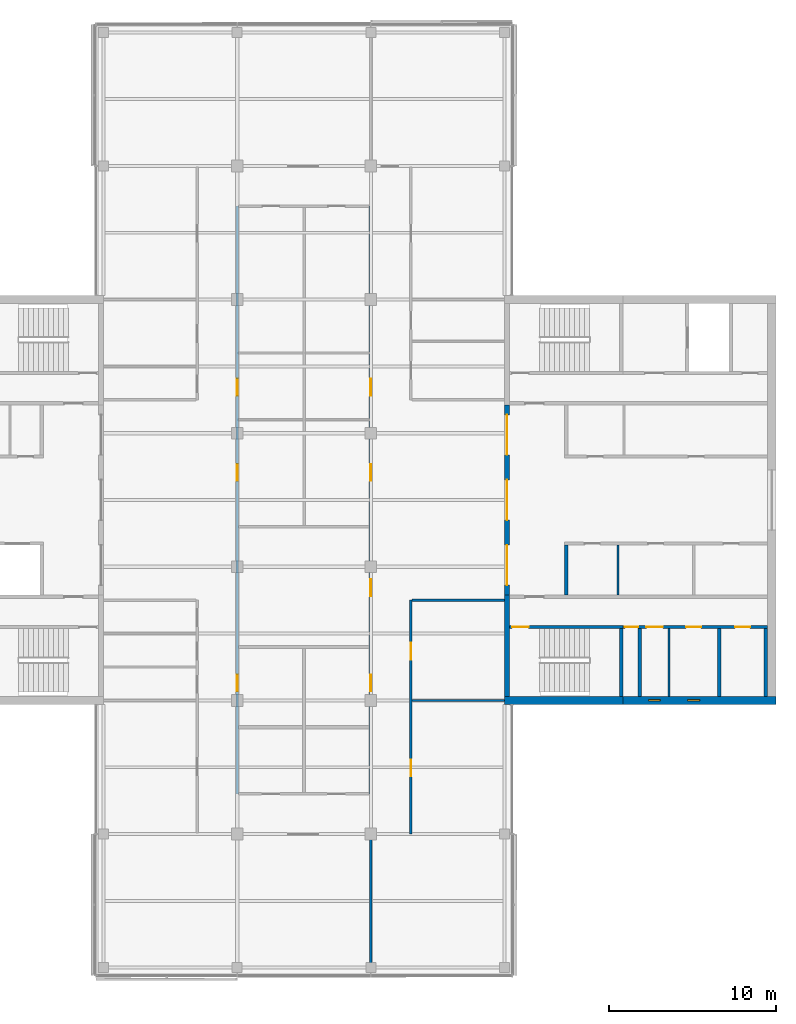
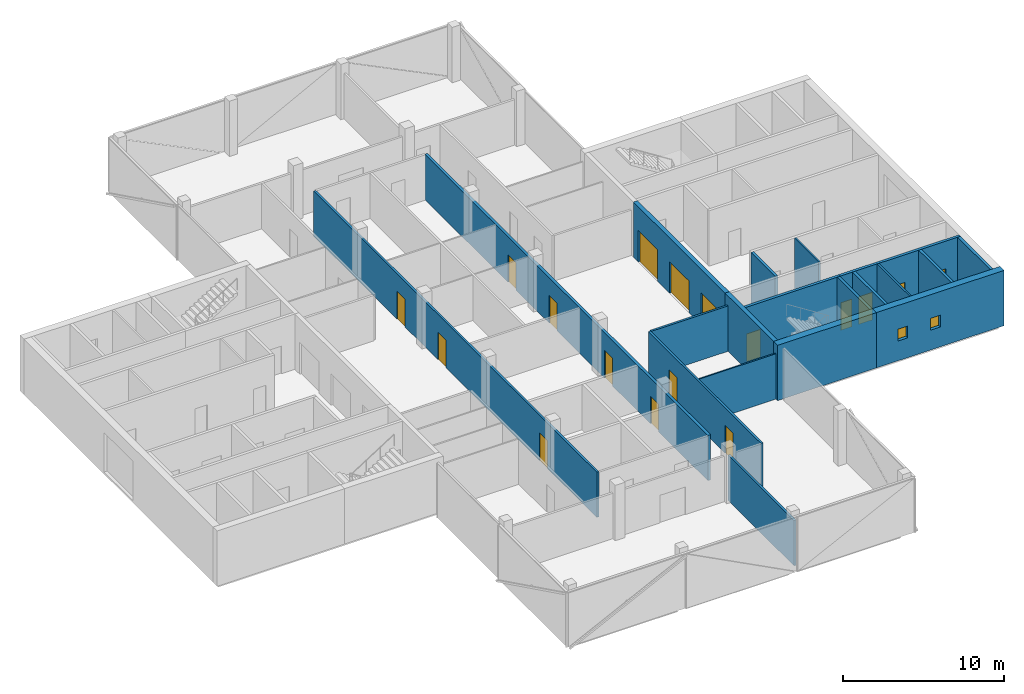
# One storey, part 10 of 16: 19 walls, 17 doors, 2 windows, 19 openings.
"""IFC4 building model written with IfcOpenShell, lengths in metres."""

from ifc_helpers import new_model, si_unit, direction, frame, frame_2d, origin, place, context, subcontext, project, spatial, rectangle, extrude, material, layer, layer_set, constituent, constituent_set, type_object, element, fill, save


model = new_model("IFC4")

# Units and contexts
model_context = context("Model", 3, precision=1e-05, world=origin(), true_north=direction((0.0, 1.0)))
body_context = subcontext(model_context, "Body", "Model", "MODEL_VIEW")
ifc_project = project(units=[si_unit("LENGTHUNIT", "METRE"), si_unit("AREAUNIT", "SQUARE_METRE"), si_unit("VOLUMEUNIT", "CUBIC_METRE"), si_unit("PLANEANGLEUNIT", "RADIAN"), si_unit("MASSUNIT", "GRAM", prefix="KILO")], contexts=[model_context])

# Site, building, storey
site_placement = place(None, origin())
site = spatial("IfcSite", under=ifc_project, at=site_placement, CompositionType="ELEMENT")
building_placement = place(site_placement, origin())
building = spatial("IfcBuilding", under=site, at=building_placement, Name="Crosswind Convention Tower", CompositionType="ELEMENT")
storey_placement = place(building_placement, frame((0.0, 0.0, 270.300048828125)))
storey = spatial("IfcBuildingStorey", under=building, at=storey_placement, Name="L58", CompositionType="ELEMENT", Elevation=270.300048828125)

# Wall
ifc_material_1 = material(Name="Concrete blockwork", Category="masonry")
ifc_layer_1 = layer(ifc_material_1, 0.199951171875)
ifc_layer_set_1 = layer_set([ifc_layer_1], Name="Blockwork partition wall 200")
wall_type_1 = type_object("IfcWallType", Name="Blockwork partition wall 200", PredefinedType="PARTITIONING", material=ifc_layer_set_1)
wall_1_placement = place(storey_placement, frame((145.10009765625, 88.25, 0.0), z_axis=(0.0, 0.0, 1.0), x_axis=(0.0, 1.0, 0.0)))
element("IfcWall", 1, at=wall_1_placement, inside=storey, type_object=wall_type_1, Name="Wall MRSE E L58", PredefinedType="PARTITIONING", context=body_context, shape_type="SweptSolid", body=[
    extrude(rectangle(XDim=4.050048828125, YDim=0.199951171875, at=frame_2d((2.02490234375, 0.0))), origin(), (0.0, 0.0, 1.0), 4.199951171875),
])

# Wall, openings, doors
ifc_layer_2 = layer(ifc_material_1, 0.199951171875)
ifc_layer_set_2 = layer_set([ifc_layer_2], Name="COMPARTMENT WALL 200 BLOCKWORK")
wall_type_2 = type_object("IfcWallType", Name="COMPARTMENT WALL 200 BLOCKWORK", PredefinedType="SOLIDWALL", material=ifc_layer_set_2)
wall_2_placement = place(storey_placement, frame((129.0, 82.39990234375, 0.0), z_axis=(0.0, 0.0, 1.0), x_axis=(0.0, 1.0, 0.0)))
wall_2 = element("IfcWall", 2, at=wall_2_placement, inside=storey, type_object=wall_type_2, Name="Compartment wall WT42", PredefinedType="SOLIDWALL", context=body_context, shape_type="SweptSolid", body=[
    extrude(rectangle(XDim=35.2001953125, YDim=0.199951171875, at=frame_2d((17.60009765625, 0.0))), origin(), (0.0, 0.0, 1.0), 3.44287109375),
])
opening_1_placement = place(wall_2_placement, frame((6.14990234375, 0.0, 0.0)))
opening_1 = element("IfcOpeningElement", 3, at=opening_1_placement, cuts=wall_2, Name="Opening L58-68", PredefinedType="OPENING", context=body_context, shape_type="SweptSolid", body=[
    extrude(rectangle(XDim=1.0, YDim=2.10009765625, at=frame_2d((0.5, 1.050048828125))), frame((0.0, 0.10986328125, 0.0), z_axis=(0.0, -1.0, 0.0), x_axis=(1.0, 0.0, 0.0)), (0.0, 0.0, 1.0), 0.219970703125),
])
opening_2_placement = place(wall_2_placement, frame((11.85009765625, 0.0, 0.0)))
opening_2 = element("IfcOpeningElement", 4, at=opening_2_placement, cuts=wall_2, Name="Opening L58-69", PredefinedType="OPENING", context=body_context, shape_type="SweptSolid", body=[
    extrude(rectangle(XDim=1.0, YDim=2.10009765625, at=frame_2d((0.5, 1.050048828125))), frame((0.0, 0.10986328125, 0.0), z_axis=(0.0, -1.0, 0.0), x_axis=(1.0, 0.0, 0.0)), (0.0, 0.0, 1.0), 0.219970703125),
])
opening_3_placement = place(wall_2_placement, frame((18.75, 0.0, 0.0)))
opening_3 = element("IfcOpeningElement", 5, at=opening_3_placement, cuts=wall_2, Name="Opening L58-71", PredefinedType="OPENING", context=body_context, shape_type="SweptSolid", body=[
    extrude(rectangle(XDim=1.0, YDim=2.10009765625, at=frame_2d((0.5, 1.050048828125))), frame((0.0, 0.10986328125, 0.0), z_axis=(0.0, -1.0, 0.0), x_axis=(1.0, 0.0, 0.0)), (0.0, 0.0, 1.0), 0.219970703125),
])
opening_4_placement = place(wall_2_placement, frame((23.85009765625, 0.0, 0.0)))
opening_4 = element("IfcOpeningElement", 6, at=opening_4_placement, cuts=wall_2, Name="Opening L58-73", PredefinedType="OPENING", context=body_context, shape_type="SweptSolid", body=[
    extrude(rectangle(XDim=1.0, YDim=2.10009765625, at=frame_2d((0.5, 1.050048828125))), frame((0.0, 0.10986328125, 0.0), z_axis=(0.0, -1.0, 0.0), x_axis=(1.0, 0.0, 0.0)), (0.0, 0.0, 1.0), 0.219970703125),
])
ifc_material_2 = material(Name="Steel fire door", Category="steel")
door_type_1 = type_object("IfcDoorType", Name="PLANT ROOM DOOR 1000X2100 FD60", OperationType="NOTDEFINED", PredefinedType="DOOR", material=ifc_material_2)
door_1_placement = place(opening_1_placement, origin())
door_1 = element("IfcDoor", 7, at=door_1_placement, inside=storey, type_object=door_type_1, Name="Door L58-68", ObjectType="D43", OperationType="SINGLE_SWING_LEFT", OverallHeight=2.10009765625, OverallWidth=1.0, PredefinedType="DOOR", context=body_context, shape_type="SweptSolid", body=[
    extrude(rectangle(XDim=1.0, YDim=2.10009765625, at=frame_2d((0.5, 1.050048828125))), frame((0.0, 0.02490234375, 0.0), z_axis=(0.0, -1.0, 0.0), x_axis=(1.0, 0.0, 0.0)), (0.0, 0.0, 1.0), 0.050048828125),
])
fill(opening_1, door_1)
ifc_material_3 = material(Name="Timber fire door", Category="wood")
door_type_2 = type_object("IfcDoorType", Name="TENANCY ENTRANCE DOOR 1000X2100 FD30S", OperationType="NOTDEFINED", PredefinedType="DOOR", material=ifc_material_3)
door_2_placement = place(opening_2_placement, origin())
door_2 = element("IfcDoor", 8, at=door_2_placement, inside=storey, type_object=door_type_2, Name="Door L58-69", ObjectType="D41", OperationType="SINGLE_SWING_RIGHT", OverallHeight=2.10009765625, OverallWidth=1.0, PredefinedType="DOOR", context=body_context, shape_type="SweptSolid", body=[
    extrude(rectangle(XDim=1.0, YDim=2.10009765625, at=frame_2d((0.5, 1.050048828125))), frame((0.0, 0.02490234375, 0.0), z_axis=(0.0, -1.0, 0.0), x_axis=(1.0, 0.0, 0.0)), (0.0, 0.0, 1.0), 0.050048828125),
])
fill(opening_2, door_2)
door_3_placement = place(opening_3_placement, origin())
door_3 = element("IfcDoor", 9, at=door_3_placement, inside=storey, type_object=door_type_2, Name="Door L58-71", ObjectType="D41", OperationType="SINGLE_SWING_RIGHT", OverallHeight=2.10009765625, OverallWidth=1.0, PredefinedType="DOOR", context=body_context, shape_type="SweptSolid", body=[
    extrude(rectangle(XDim=1.0, YDim=2.10009765625, at=frame_2d((0.5, 1.050048828125))), frame((0.0, 0.02490234375, 0.0), z_axis=(0.0, -1.0, 0.0), x_axis=(1.0, 0.0, 0.0)), (0.0, 0.0, 1.0), 0.050048828125),
])
fill(opening_3, door_3)
door_4_placement = place(opening_4_placement, origin())
door_4 = element("IfcDoor", 10, at=door_4_placement, inside=storey, type_object=door_type_2, Name="Door L58-73", ObjectType="D41", OperationType="SINGLE_SWING_LEFT", OverallHeight=2.10009765625, OverallWidth=1.0, PredefinedType="DOOR", context=body_context, shape_type="SweptSolid", body=[
    extrude(rectangle(XDim=1.0, YDim=2.10009765625, at=frame_2d((0.5, 1.050048828125))), frame((0.0, 0.02490234375, 0.0), z_axis=(0.0, -1.0, 0.0), x_axis=(1.0, 0.0, 0.0)), (0.0, 0.0, 1.0), 0.050048828125),
])
fill(opening_4, door_4)

ifc_material_4 = material(Name="Concrete C50/60", Category="concrete")
ifc_layer_3 = layer(ifc_material_4, 0.300048828125)
ifc_layer_set_3 = layer_set([ifc_layer_3], Name="Concrete C50/60")
wall_type_3 = type_object("IfcWallType", Name="Concrete inner core wall 300", PredefinedType="SHEAR", material=ifc_layer_set_3)
wall_3_placement = place(storey_placement, frame((137.14990234375, 94.300048828125, 0.0), z_axis=(0.0, 0.0, 1.0), x_axis=(0.0, 1.0, 0.0)))
wall_3 = element("IfcWall", 11, at=wall_3_placement, inside=storey, type_object=wall_type_3, Name="Wall SCR E L58", PredefinedType="SHEAR", context=body_context, shape_type="SweptSolid", body=[
    extrude(rectangle(XDim=11.39990234375, YDim=0.300048828125, at=frame_2d((5.699951171875, 0.0))), origin(), (0.0, 0.0, 1.0), 4.199951171875),
])
opening_5_placement = place(wall_3_placement, frame((0.60009765625, 0.0, 0.0)))
opening_5 = element("IfcOpeningElement", 12, at=opening_5_placement, cuts=wall_3, Name="Opening D100", PredefinedType="OPENING", context=body_context, shape_type="SweptSolid", body=[
    extrude(rectangle(XDim=2.39990234375, YDim=2.39990234375, at=frame_2d((1.199951171875, 1.199951171875))), frame((0.0, 0.159912109375, 0.0), z_axis=(0.0, -1.0, 0.0), x_axis=(1.0, 0.0, 0.0)), (0.0, 0.0, 1.0), 0.320068359375),
])
opening_6_placement = place(wall_3_placement, frame((4.5, 0.0, 0.0)))
opening_6 = element("IfcOpeningElement", 13, at=opening_6_placement, cuts=wall_3, Name="Opening D100", PredefinedType="OPENING", context=body_context, shape_type="SweptSolid", body=[
    extrude(rectangle(XDim=2.39990234375, YDim=2.39990234375, at=frame_2d((1.199951171875, 1.199951171875))), frame((0.0, 0.159912109375, 0.0), z_axis=(0.0, -1.0, 0.0), x_axis=(1.0, 0.0, 0.0)), (0.0, 0.0, 1.0), 0.320068359375),
])
opening_7_placement = place(wall_3_placement, frame((8.39990234375, 0.0, 0.0)))
opening_7 = element("IfcOpeningElement", 14, at=opening_7_placement, cuts=wall_3, Name="Opening D100", PredefinedType="OPENING", context=body_context, shape_type="SweptSolid", body=[
    extrude(rectangle(XDim=2.39990234375, YDim=2.39990234375, at=frame_2d((1.199951171875, 1.199951171875))), frame((0.0, 0.159912109375, 0.0), z_axis=(0.0, -1.0, 0.0), x_axis=(1.0, 0.0, 0.0)), (0.0, 0.0, 1.0), 0.320068359375),
])
ifc_material_5 = material(Name="Steel fire door with glazed vision panels", Category="steel")
door_type_3 = type_object("IfcDoorType", Name="Fire-rated double door 2400x2400", OperationType="DOUBLE_DOOR_SINGLE_SWING", PredefinedType="DOOR", material=ifc_material_5)
door_5_placement = place(opening_5_placement, origin())
door_5 = element("IfcDoor", 15, at=door_5_placement, inside=storey, type_object=door_type_3, Name="Lobby door 1 L58", ObjectType="D100", OperationType="DOUBLE_DOOR_SINGLE_SWING", OverallHeight=2.39990234375, OverallWidth=2.39990234375, PredefinedType="DOOR", context=body_context, shape_type="SweptSolid", body=[
    extrude(rectangle(XDim=2.39990234375, YDim=2.39990234375, at=frame_2d((1.199951171875, 1.199951171875))), frame((0.0, 0.02490234375, 0.0), z_axis=(0.0, -1.0, 0.0), x_axis=(1.0, 0.0, 0.0)), (0.0, 0.0, 1.0), 0.050048828125),
])
fill(opening_5, door_5)
door_6_placement = place(opening_6_placement, origin())
door_6 = element("IfcDoor", 16, at=door_6_placement, inside=storey, type_object=door_type_3, Name="Lobby door 2 L58", ObjectType="D100", OperationType="DOUBLE_DOOR_SINGLE_SWING", OverallHeight=2.39990234375, OverallWidth=2.39990234375, PredefinedType="DOOR", context=body_context, shape_type="SweptSolid", body=[
    extrude(rectangle(XDim=2.39990234375, YDim=2.39990234375, at=frame_2d((1.199951171875, 1.199951171875))), frame((0.0, 0.02490234375, 0.0), z_axis=(0.0, -1.0, 0.0), x_axis=(1.0, 0.0, 0.0)), (0.0, 0.0, 1.0), 0.050048828125),
])
fill(opening_6, door_6)
door_7_placement = place(opening_7_placement, origin())
door_7 = element("IfcDoor", 17, at=door_7_placement, inside=storey, type_object=door_type_3, Name="Lobby door 3 L58", ObjectType="D100", OperationType="DOUBLE_DOOR_SINGLE_SWING", OverallHeight=2.39990234375, OverallWidth=2.39990234375, PredefinedType="DOOR", context=body_context, shape_type="SweptSolid", body=[
    extrude(rectangle(XDim=2.39990234375, YDim=2.39990234375, at=frame_2d((1.199951171875, 1.199951171875))), frame((0.0, 0.02490234375, 0.0), z_axis=(0.0, -1.0, 0.0), x_axis=(1.0, 0.0, 0.0)), (0.0, 0.0, 1.0), 0.050048828125),
])
fill(opening_7, door_7)

# Walls
wall_4_placement = place(storey_placement, frame((137.14990234375, 88.25, 0.0), z_axis=(0.0, 0.0, 1.0), x_axis=(0.0, 1.0, 0.0)))
element("IfcWall", 18, at=wall_4_placement, inside=storey, type_object=wall_type_3, Name="Wall EM E L58", PredefinedType="SHEAR", context=body_context, shape_type="SweptSolid", body=[
    extrude(rectangle(XDim=6.050048828125, YDim=0.300048828125, at=frame_2d((3.02490234375, 0.0))), origin(), (0.0, 0.0, 1.0), 4.199951171875),
])
ifc_layer_4 = layer(ifc_material_4, 0.199951171875)
ifc_layer_set_4 = layer_set([ifc_layer_4], Name="Concrete C50/60")
wall_type_4 = type_object("IfcWallType", Name="Concrete shaft and stair wall 200", PredefinedType="SHEAR", material=ifc_layer_set_4)
wall_5_placement = place(storey_placement, frame((140.699951171875, 94.300048828125, 0.0), z_axis=(0.0, 0.0, 1.0), x_axis=(0.0, 1.0, 0.0)))
element("IfcWall", 19, at=wall_5_placement, inside=storey, type_object=wall_type_4, Name="Wall RMEND E L58", PredefinedType="SHEAR", context=body_context, shape_type="SweptSolid", body=[
    extrude(rectangle(XDim=3.0, YDim=0.199951171875, at=frame_2d((1.5, 0.0))), origin(), (0.0, 0.0, 1.0), 4.199951171875),
])
for number, where, z_axis, x_axis, name in (
    (20, (144.0, 88.25, 0.0), (0.0, 0.0, 1.0), (0.0, 1.0, 0.0), "Wall MSE E L58"),
    (21, (149.85009765625, 88.25, 0.0), (0.0, 0.0, 1.0), (0.0, 1.0, 0.0), "Wall MFSW E L58"),
    (22, (152.64990234375, 88.25, 0.0), (0.0, 0.0, 1.0), (0.0, 1.0, 0.0), "Wall MFSE E L58"),
):
    element("IfcWall", number, at=place(storey_placement, frame(where, z_axis=z_axis, x_axis=x_axis)), inside=storey, type_object=wall_type_4, Name=name, PredefinedType="SHEAR", context=body_context, shape_type="SweptSolid", body=[
        extrude(rectangle(XDim=4.050048828125, YDim=0.199951171875, at=frame_2d((2.02490234375, 0.0))), origin(), (0.0, 0.0, 1.0), 4.199951171875),
    ])

# Wall, opening, door
wall_6_placement = place(storey_placement, frame((137.300048828125, 92.39990234375, 0.0), z_axis=(0.0, 0.0, 1.0), x_axis=(1.0, 0.0, 0.0)))
wall_6 = element("IfcWall", 23, at=wall_6_placement, inside=storey, type_object=wall_type_4, Name="Wall MCW E L58", PredefinedType="SHEAR", context=body_context, shape_type="SweptSolid", body=[
    extrude(rectangle(XDim=6.800048828125, YDim=0.199951171875, at=frame_2d((3.39990234375, 0.0))), origin(), (0.0, 0.0, 1.0), 4.199951171875),
])
opening_8_placement = place(wall_6_placement, frame((0.14990234375, 0.0, 0.0)))
opening_8 = element("IfcOpeningElement", 24, at=opening_8_placement, cuts=wall_6, Name="Opening D103", PredefinedType="OPENING", context=body_context, shape_type="SweptSolid", body=[
    extrude(rectangle(XDim=1.0, YDim=2.10009765625, at=frame_2d((0.5, 1.050048828125))), frame((0.0, 0.10986328125, 0.0), z_axis=(0.0, -1.0, 0.0), x_axis=(1.0, 0.0, 0.0)), (0.0, 0.0, 1.0), 0.219970703125),
])
door_type_4 = type_object("IfcDoorType", Name="Fire-rated single door 1000x2100", OperationType="NOTDEFINED", PredefinedType="DOOR", material=ifc_material_2)
door_8_placement = place(opening_8_placement, frame((1.0, 0.0, 0.0), z_axis=(0.0, 0.0, 1.0), x_axis=(-1.0, 0.0, 0.0)))
door_8 = element("IfcDoor", 25, at=door_8_placement, inside=storey, type_object=door_type_4, Name="Stair ST2 door L58", ObjectType="D103", OperationType="SINGLE_SWING_RIGHT", OverallHeight=2.10009765625, OverallWidth=1.0, PredefinedType="DOOR", context=body_context, shape_type="SweptSolid", body=[
    extrude(rectangle(XDim=1.0, YDim=2.10009765625, at=frame_2d((0.5, 1.050048828125))), frame((0.0, 0.02490234375, 0.0), z_axis=(0.0, -1.0, 0.0), x_axis=(1.0, 0.0, 0.0)), (0.0, 0.0, 1.0), 0.050048828125),
])
fill(opening_8, door_8)

# Wall, openings, doors
wall_7_placement = place(storey_placement, frame((144.10009765625, 92.39990234375, 0.0), z_axis=(0.0, 0.0, 1.0), x_axis=(1.0, 0.0, 0.0)))
wall_7 = element("IfcWall", 26, at=wall_7_placement, inside=storey, type_object=wall_type_4, Name="Wall MCX E L58", PredefinedType="SHEAR", context=body_context, shape_type="SweptSolid", body=[
    extrude(rectangle(XDim=8.64990234375, YDim=0.199951171875, at=frame_2d((4.324951171875, 0.0))), origin(), (0.0, 0.0, 1.0), 4.199951171875),
])
opening_9_placement = place(wall_7_placement, frame((0.10009765625, 0.0, 0.0)))
opening_9 = element("IfcOpeningElement", 27, at=opening_9_placement, cuts=wall_7, Name="Opening D105", PredefinedType="OPENING", context=body_context, shape_type="SweptSolid", body=[
    extrude(rectangle(XDim=0.800048828125, YDim=2.10009765625, at=frame_2d((0.39990234375, 1.050048828125))), frame((0.0, 0.10986328125, 0.0), z_axis=(0.0, -1.0, 0.0), x_axis=(1.0, 0.0, 0.0)), (0.0, 0.0, 1.0), 0.219970703125),
])
opening_10_placement = place(wall_7_placement, frame((1.3876953125, 0.0, 0.0)))
opening_10 = element("IfcOpeningElement", 28, at=opening_10_placement, cuts=wall_7, Name="Opening D103", PredefinedType="OPENING", context=body_context, shape_type="SweptSolid", body=[
    extrude(rectangle(XDim=1.0, YDim=2.10009765625, at=frame_2d((0.5, 1.050048828125))), frame((0.0, 0.10986328125, 0.0), z_axis=(0.0, -1.0, 0.0), x_axis=(1.0, 0.0, 0.0)), (0.0, 0.0, 1.0), 0.219970703125),
])
opening_11_placement = place(wall_7_placement, frame((3.775146484375, 0.0, 0.0)))
opening_11 = element("IfcOpeningElement", 29, at=opening_11_placement, cuts=wall_7, Name="Opening D106", PredefinedType="OPENING", context=body_context, shape_type="SweptSolid", body=[
    extrude(rectangle(XDim=0.89990234375, YDim=2.10009765625, at=frame_2d((0.449951171875, 1.050048828125))), frame((0.0, 0.10986328125, 0.0), z_axis=(0.0, -1.0, 0.0), x_axis=(1.0, 0.0, 0.0)), (0.0, 0.0, 1.0), 0.219970703125),
])
opening_12_placement = place(wall_7_placement, frame((6.699951171875, 0.0, 0.0)))
opening_12 = element("IfcOpeningElement", 30, at=opening_12_placement, cuts=wall_7, Name="Opening D106", PredefinedType="OPENING", context=body_context, shape_type="SweptSolid", body=[
    extrude(rectangle(XDim=0.89990234375, YDim=2.10009765625, at=frame_2d((0.449951171875, 1.050048828125))), frame((0.0, 0.10986328125, 0.0), z_axis=(0.0, -1.0, 0.0), x_axis=(1.0, 0.0, 0.0)), (0.0, 0.0, 1.0), 0.219970703125),
])
door_9_placement = place(opening_10_placement, frame((1.0, 0.0, 0.0), z_axis=(0.0, 0.0, 1.0), x_axis=(-1.0, 0.0, 0.0)))
door_9 = element("IfcDoor", 31, at=door_9_placement, inside=storey, type_object=door_type_4, Name="Door to accessible wc L58", ObjectType="D103", OperationType="SINGLE_SWING_LEFT", OverallHeight=2.10009765625, OverallWidth=1.0, PredefinedType="DOOR", context=body_context, shape_type="SweptSolid", body=[
    extrude(rectangle(XDim=1.0, YDim=2.10009765625, at=frame_2d((0.5, 1.050048828125))), frame((0.0, 0.02490234375, 0.0), z_axis=(0.0, -1.0, 0.0), x_axis=(1.0, 0.0, 0.0)), (0.0, 0.0, 1.0), 0.050048828125),
])
fill(opening_10, door_9)
door_type_5 = type_object("IfcDoorType", Name="Riser access door 800x2100", OperationType="NOTDEFINED", PredefinedType="DOOR", material=ifc_material_2)
door_10_placement = place(opening_9_placement, frame((0.800048828125, 0.0, 0.0), z_axis=(0.0, 0.0, 1.0), x_axis=(-1.0, 0.0, 0.0)))
door_10 = element("IfcDoor", 32, at=door_10_placement, inside=storey, type_object=door_type_5, Name="Riser door L58", ObjectType="D105", OperationType="SINGLE_SWING_LEFT", OverallHeight=2.10009765625, OverallWidth=0.800048828125, PredefinedType="DOOR", context=body_context, shape_type="SweptSolid", body=[
    extrude(rectangle(XDim=0.800048828125, YDim=2.10009765625, at=frame_2d((0.39990234375, 1.050048828125))), frame((0.0, 0.02490234375, 0.0), z_axis=(0.0, -1.0, 0.0), x_axis=(1.0, 0.0, 0.0)), (0.0, 0.0, 1.0), 0.050048828125),
])
fill(opening_9, door_10)
ifc_material_6 = material(Name="Timber door", Category="wood")
door_type_6 = type_object("IfcDoorType", Name="Single leaf door 900x2100", OperationType="NOTDEFINED", PredefinedType="DOOR", material=ifc_material_6)
door_11_placement = place(opening_11_placement, frame((0.89990234375, 0.0, 0.0), z_axis=(0.0, 0.0, 1.0), x_axis=(-1.0, 0.0, 0.0)))
door_11 = element("IfcDoor", 33, at=door_11_placement, inside=storey, type_object=door_type_6, Name="Door to wc L58", ObjectType="D106", OperationType="SINGLE_SWING_LEFT", OverallHeight=2.10009765625, OverallWidth=0.89990234375, PredefinedType="DOOR", context=body_context, shape_type="SweptSolid", body=[
    extrude(rectangle(XDim=0.89990234375, YDim=2.10009765625, at=frame_2d((0.449951171875, 1.050048828125))), frame((0.0, 0.02490234375, 0.0), z_axis=(0.0, -1.0, 0.0), x_axis=(1.0, 0.0, 0.0)), (0.0, 0.0, 1.0), 0.050048828125),
])
fill(opening_11, door_11)
door_12_placement = place(opening_12_placement, frame((0.89990234375, 0.0, 0.0), z_axis=(0.0, 0.0, 1.0), x_axis=(-1.0, 0.0, 0.0)))
door_12 = element("IfcDoor", 34, at=door_12_placement, inside=storey, type_object=door_type_6, Name="Door to wc L58", ObjectType="D106", OperationType="SINGLE_SWING_LEFT", OverallHeight=2.10009765625, OverallWidth=0.89990234375, PredefinedType="DOOR", context=body_context, shape_type="SweptSolid", body=[
    extrude(rectangle(XDim=0.89990234375, YDim=2.10009765625, at=frame_2d((0.449951171875, 1.050048828125))), frame((0.0, 0.02490234375, 0.0), z_axis=(0.0, -1.0, 0.0), x_axis=(1.0, 0.0, 0.0)), (0.0, 0.0, 1.0), 0.050048828125),
])
fill(opening_12, door_12)

# Walls
ifc_material_7 = material(Name="Gypsum plasterboard partition", Category="gypsum")
ifc_layer_5 = layer(ifc_material_7, 0.125)
ifc_layer_set_5 = layer_set([ifc_layer_5], Name="Drywall partition wall 125")
wall_type_5 = type_object("IfcWallType", Name="Drywall partition wall 125", PredefinedType="PARTITIONING", material=ifc_layer_set_5)
wall_8_placement = place(storey_placement, frame((143.78759765625, 94.300048828125, 0.0), z_axis=(0.0, 0.0, 1.0), x_axis=(0.0, 1.0, 0.0)))
element("IfcWall", 35, at=wall_8_placement, inside=storey, type_object=wall_type_5, Name="Wall RMP1 E L58", PredefinedType="PARTITIONING", context=body_context, shape_type="SweptSolid", body=[
    extrude(rectangle(XDim=3.0, YDim=0.125, at=frame_2d((1.5, 0.0))), origin(), (0.0, 0.0, 1.0), 4.199951171875),
])
wall_9_placement = place(storey_placement, frame((146.837890625, 88.25, 0.0), z_axis=(0.0, 0.0, 1.0), x_axis=(0.0, 1.0, 0.0)))
element("IfcWall", 36, at=wall_9_placement, inside=storey, type_object=wall_type_5, Name="Wall MWP1 E L58", PredefinedType="PARTITIONING", context=body_context, shape_type="SweptSolid", body=[
    extrude(rectangle(XDim=4.050048828125, YDim=0.125, at=frame_2d((2.02490234375, 0.0))), origin(), (0.0, 0.0, 1.0), 4.199951171875),
])
ifc_material_8 = material(Name="Plasterboard partition", Category="gypsum")
ifc_layer_6 = layer(ifc_material_8, 0.10009765625)
ifc_layer_set_6 = layer_set([ifc_layer_6], Name="PARTITION 100 METAL STUD")
wall_type_6 = type_object("IfcWallType", Name="PARTITION 100 METAL STUD", PredefinedType="PARTITIONING", material=ifc_layer_set_6)
wall_10_placement = place(storey_placement, frame((131.47509765625, 88.0, 0.0), z_axis=(0.0, 0.0, 1.0), x_axis=(1.0, 0.0, 0.0)))
element("IfcWall", 37, at=wall_10_placement, inside=storey, type_object=wall_type_6, Name="Partition wall WT40", PredefinedType="PARTITIONING", context=body_context, shape_type="SweptSolid", body=[
    extrude(rectangle(XDim=5.52490234375, YDim=0.10009765625, at=frame_2d((2.762451171875, 0.0))), origin(), (0.0, 0.0, 1.0), 3.44287109375),
])

# Wall, openings, doors
ifc_material_9 = material(Name="Fire-board partition with mineral wool", Category="gypsum")
ifc_layer_7 = layer(ifc_material_9, 0.14990234375)
ifc_layer_set_7 = layer_set([ifc_layer_7], Name="TENANCY WALL 150 TWO-HOUR BOARD")
wall_type_7 = type_object("IfcWallType", Name="TENANCY WALL 150 TWO-HOUR BOARD", PredefinedType="PARTITIONING", material=ifc_layer_set_7)
wall_11_placement = place(storey_placement, frame((121.0, 82.39990234375, 0.0), z_axis=(0.0, 0.0, 1.0), x_axis=(0.0, 1.0, 0.0)))
wall_11 = element("IfcWall", 38, at=wall_11_placement, inside=storey, type_object=wall_type_7, Name="Tenancy wall WT41", PredefinedType="PARTITIONING", context=body_context, shape_type="SweptSolid", body=[
    extrude(rectangle(XDim=35.2001953125, YDim=0.14990234375, at=frame_2d((17.60009765625, 0.0))), origin(), (0.0, 0.0, 1.0), 3.44287109375),
])
opening_13_placement = place(wall_11_placement, frame((6.14990234375, 0.0, 0.0)))
opening_13 = element("IfcOpeningElement", 39, at=opening_13_placement, cuts=wall_11, Name="Opening L58-67", PredefinedType="OPENING", context=body_context, shape_type="SweptSolid", body=[
    extrude(rectangle(XDim=1.0, YDim=2.10009765625, at=frame_2d((0.5, 1.050048828125))), frame((0.0, 0.0849609375, 0.0), z_axis=(0.0, -1.0, 0.0), x_axis=(1.0, 0.0, 0.0)), (0.0, 0.0, 1.0), 0.169921875),
])
opening_14_placement = place(wall_11_placement, frame((18.75, 0.0, 0.0)))
opening_14 = element("IfcOpeningElement", 40, at=opening_14_placement, cuts=wall_11, Name="Opening L58-70", PredefinedType="OPENING", context=body_context, shape_type="SweptSolid", body=[
    extrude(rectangle(XDim=1.0, YDim=2.10009765625, at=frame_2d((0.5, 1.050048828125))), frame((0.0, 0.0849609375, 0.0), z_axis=(0.0, -1.0, 0.0), x_axis=(1.0, 0.0, 0.0)), (0.0, 0.0, 1.0), 0.169921875),
])
opening_15_placement = place(wall_11_placement, frame((23.85009765625, 0.0, 0.0)))
opening_15 = element("IfcOpeningElement", 41, at=opening_15_placement, cuts=wall_11, Name="Opening L58-72", PredefinedType="OPENING", context=body_context, shape_type="SweptSolid", body=[
    extrude(rectangle(XDim=1.0, YDim=2.10009765625, at=frame_2d((0.5, 1.050048828125))), frame((0.0, 0.0849609375, 0.0), z_axis=(0.0, -1.0, 0.0), x_axis=(1.0, 0.0, 0.0)), (0.0, 0.0, 1.0), 0.169921875),
])
door_13_placement = place(opening_13_placement, frame((1.0, 0.0, 0.0), z_axis=(0.0, 0.0, 1.0), x_axis=(-1.0, 0.0, 0.0)))
door_13 = element("IfcDoor", 42, at=door_13_placement, inside=storey, type_object=door_type_2, Name="Door L58-67", ObjectType="D41", OperationType="SINGLE_SWING_RIGHT", OverallHeight=2.10009765625, OverallWidth=1.0, PredefinedType="DOOR", context=body_context, shape_type="SweptSolid", body=[
    extrude(rectangle(XDim=1.0, YDim=2.10009765625, at=frame_2d((0.5, 1.050048828125))), frame((0.0, 0.02490234375, 0.0), z_axis=(0.0, -1.0, 0.0), x_axis=(1.0, 0.0, 0.0)), (0.0, 0.0, 1.0), 0.050048828125),
])
fill(opening_13, door_13)
door_14_placement = place(opening_14_placement, frame((1.0, 0.0, 0.0), z_axis=(0.0, 0.0, 1.0), x_axis=(-1.0, 0.0, 0.0)))
door_14 = element("IfcDoor", 43, at=door_14_placement, inside=storey, type_object=door_type_2, Name="Door L58-70", ObjectType="D41", OperationType="SINGLE_SWING_LEFT", OverallHeight=2.10009765625, OverallWidth=1.0, PredefinedType="DOOR", context=body_context, shape_type="SweptSolid", body=[
    extrude(rectangle(XDim=1.0, YDim=2.10009765625, at=frame_2d((0.5, 1.050048828125))), frame((0.0, 0.02490234375, 0.0), z_axis=(0.0, -1.0, 0.0), x_axis=(1.0, 0.0, 0.0)), (0.0, 0.0, 1.0), 0.050048828125),
])
fill(opening_14, door_14)
door_15_placement = place(opening_15_placement, frame((1.0, 0.0, 0.0), z_axis=(0.0, 0.0, 1.0), x_axis=(-1.0, 0.0, 0.0)))
door_15 = element("IfcDoor", 44, at=door_15_placement, inside=storey, type_object=door_type_2, Name="Door L58-72", ObjectType="D41", OperationType="SINGLE_SWING_RIGHT", OverallHeight=2.10009765625, OverallWidth=1.0, PredefinedType="DOOR", context=body_context, shape_type="SweptSolid", body=[
    extrude(rectangle(XDim=1.0, YDim=2.10009765625, at=frame_2d((0.5, 1.050048828125))), frame((0.0, 0.02490234375, 0.0), z_axis=(0.0, -1.0, 0.0), x_axis=(1.0, 0.0, 0.0)), (0.0, 0.0, 1.0), 0.050048828125),
])
fill(opening_15, door_15)

# Wall
wall_12_placement = place(storey_placement, frame((129.0, 71.72998046875, 0.0), z_axis=(0.0, 0.0, 1.0), x_axis=(0.0, 1.0, 0.0)))
element("IfcWall", 45, at=wall_12_placement, inside=storey, type_object=wall_type_7, Name="Tenancy wall WT41", PredefinedType="PARTITIONING", context=body_context, shape_type="SweptSolid", body=[
    extrude(rectangle(XDim=8.195068359375, YDim=0.14990234375, at=frame_2d((4.09765625, 0.0))), origin(), (0.0, 0.0, 1.0), 3.44287109375),
])

# Wall, openings, doors
wall_13_placement = place(storey_placement, frame((131.39990234375, 80.0, 0.0), z_axis=(0.0, 0.0, 1.0), x_axis=(0.0, 1.0, 0.0)))
wall_13 = element("IfcWall", 46, at=wall_13_placement, inside=storey, type_object=wall_type_7, Name="Tenancy wall WT41", PredefinedType="PARTITIONING", context=body_context, shape_type="SweptSolid", body=[
    extrude(rectangle(XDim=14.0, YDim=0.14990234375, at=frame_2d((7.0, 0.0))), origin(), (0.0, 0.0, 1.0), 3.44287109375),
])
opening_16_placement = place(wall_13_placement, frame((10.449951171875, 0.0, 0.0)))
opening_16 = element("IfcOpeningElement", 47, at=opening_16_placement, cuts=wall_13, Name="Opening L58-53", PredefinedType="OPENING", context=body_context, shape_type="SweptSolid", body=[
    extrude(rectangle(XDim=1.0, YDim=2.10009765625, at=frame_2d((0.5, 1.050048828125))), frame((0.0, 0.0849609375, 0.0), z_axis=(0.0, -1.0, 0.0), x_axis=(1.0, 0.0, 0.0)), (0.0, 0.0, 1.0), 0.169921875),
])
opening_17_placement = place(wall_13_placement, frame((3.449951171875, 0.0, 0.0)))
opening_17 = element("IfcOpeningElement", 48, at=opening_17_placement, cuts=wall_13, Name="Opening L58-54", PredefinedType="OPENING", context=body_context, shape_type="SweptSolid", body=[
    extrude(rectangle(XDim=1.0, YDim=2.10009765625, at=frame_2d((0.5, 1.050048828125))), frame((0.0, 0.0849609375, 0.0), z_axis=(0.0, -1.0, 0.0), x_axis=(1.0, 0.0, 0.0)), (0.0, 0.0, 1.0), 0.169921875),
])
door_16_placement = place(opening_16_placement, frame((1.0, 0.0, 0.0), z_axis=(0.0, 0.0, 1.0), x_axis=(-1.0, 0.0, 0.0)))
door_16 = element("IfcDoor", 49, at=door_16_placement, inside=storey, type_object=door_type_2, Name="Door L58-53", ObjectType="D41", OperationType="SINGLE_SWING_RIGHT", OverallHeight=2.10009765625, OverallWidth=1.0, PredefinedType="DOOR", context=body_context, shape_type="SweptSolid", body=[
    extrude(rectangle(XDim=1.0, YDim=2.10009765625, at=frame_2d((0.5, 1.050048828125))), frame((0.0, 0.02490234375, 0.0), z_axis=(0.0, -1.0, 0.0), x_axis=(1.0, 0.0, 0.0)), (0.0, 0.0, 1.0), 0.050048828125),
])
fill(opening_16, door_16)
door_17_placement = place(opening_17_placement, frame((1.0, 0.0, 0.0), z_axis=(0.0, 0.0, 1.0), x_axis=(-1.0, 0.0, 0.0)))
door_17 = element("IfcDoor", 50, at=door_17_placement, inside=storey, type_object=door_type_2, Name="Door L58-54", ObjectType="D41", OperationType="SINGLE_SWING_LEFT", OverallHeight=2.10009765625, OverallWidth=1.0, PredefinedType="DOOR", context=body_context, shape_type="SweptSolid", body=[
    extrude(rectangle(XDim=1.0, YDim=2.10009765625, at=frame_2d((0.5, 1.050048828125))), frame((0.0, 0.02490234375, 0.0), z_axis=(0.0, -1.0, 0.0), x_axis=(1.0, 0.0, 0.0)), (0.0, 0.0, 1.0), 0.050048828125),
])
fill(opening_17, door_17)

# Walls
wall_14_placement = place(storey_placement, frame((131.47509765625, 94.0, 0.0), z_axis=(0.0, 0.0, 1.0), x_axis=(1.0, 0.0, 0.0)))
element("IfcWall", 51, at=wall_14_placement, inside=storey, type_object=wall_type_7, Name="Tenancy wall WT41", PredefinedType="PARTITIONING", context=body_context, shape_type="SweptSolid", body=[
    extrude(rectangle(XDim=5.52490234375, YDim=0.14990234375, at=frame_2d((2.762451171875, 0.0))), origin(), (0.0, 0.0, 1.0), 3.44287109375),
])
ifc_material_10 = material(Name="Concrete C60/75", Category="concrete")
ifc_constituent_1 = constituent(ifc_material_10, Name="Structure")
ifc_material_11 = material(Name="Terracotta rainscreen", Category="ceramic")
ifc_constituent_2 = constituent(ifc_material_11, Name="Facing")
ifc_constituent_set = constituent_set(constituents=[ifc_constituent_1, ifc_constituent_2], Name="Concrete C60/75, Terracotta rainscreen")
wall_type_8 = type_object("IfcWallType", Name="Terracotta rainscreen on concrete core wall 500", PredefinedType="SHEAR", material=ifc_constituent_set)
wall_15_placement = place(storey_placement, frame((137.0, 88.0, 0.0), z_axis=(0.0, 0.0, 1.0), x_axis=(1.0, 0.0, 0.0)))
element("IfcWall", 52, at=wall_15_placement, inside=storey, type_object=wall_type_8, Name="Wall S1 E L58", PredefinedType="SHEAR", context=body_context, shape_type="SweptSolid", body=[
    extrude(rectangle(XDim=7.10009765625, YDim=0.5, at=frame_2d((3.550048828125, 0.0))), origin(), (0.0, 0.0, 1.0), 4.199951171875),
])

# Wall, openings, windows
wall_16_placement = place(storey_placement, frame((144.10009765625, 88.0, 0.0), z_axis=(0.0, 0.0, 1.0), x_axis=(1.0, 0.0, 0.0)))
wall_16 = element("IfcWall", 53, at=wall_16_placement, inside=storey, type_object=wall_type_8, Name="Wall S2 E L58", PredefinedType="SHEAR", context=body_context, shape_type="SweptSolid", body=[
    extrude(rectangle(XDim=9.14990234375, YDim=0.5, at=frame_2d((4.574951171875, 0.0))), origin(), (0.0, 0.0, 1.0), 4.199951171875),
])
opening_18_placement = place(wall_16_placement, frame((1.537841796875, 0.0, 1.5)))
opening_18 = element("IfcOpeningElement", 54, at=opening_18_placement, cuts=wall_16, Name="Opening W2", PredefinedType="OPENING", context=body_context, shape_type="SweptSolid", body=[
    extrude(rectangle(XDim=0.699951171875, YDim=0.89990234375, at=frame_2d((0.35009765625, 0.449951171875))), frame((0.0, 0.260009765625, 0.0), z_axis=(0.0, -1.0, 0.0), x_axis=(1.0, 0.0, 0.0)), (0.0, 0.0, 1.0), 0.52001953125),
])
opening_19_placement = place(wall_16_placement, frame((3.875244140625, 0.0, 1.5)))
opening_19 = element("IfcOpeningElement", 55, at=opening_19_placement, cuts=wall_16, Name="Opening W2", PredefinedType="OPENING", context=body_context, shape_type="SweptSolid", body=[
    extrude(rectangle(XDim=0.699951171875, YDim=0.89990234375, at=frame_2d((0.35009765625, 0.449951171875))), frame((0.0, 0.260009765625, 0.0), z_axis=(0.0, -1.0, 0.0), x_axis=(1.0, 0.0, 0.0)), (0.0, 0.0, 1.0), 0.52001953125),
])
ifc_material_12 = material(Name="Obscure glass in aluminium frame", Category="aluminium")
window_type = type_object("IfcWindowType", Name="WC window 700x900", PartitioningType="SINGLE_PANEL", PredefinedType="WINDOW", material=ifc_material_12)
window_1_placement = place(opening_18_placement, origin())
window_1 = element("IfcWindow", 56, at=window_1_placement, inside=storey, type_object=window_type, Name="WC window L58", ObjectType="W2", OverallHeight=0.89990234375, OverallWidth=0.699951171875, PartitioningType="SINGLE_PANEL", PredefinedType="WINDOW", context=body_context, shape_type="SweptSolid", body=[
    extrude(rectangle(XDim=0.699951171875, YDim=0.89990234375, at=frame_2d((0.35009765625, 0.449951171875))), frame((0.0, 0.030029296875, 0.0), z_axis=(0.0, -1.0, 0.0), x_axis=(1.0, 0.0, 0.0)), (0.0, 0.0, 1.0), 0.06005859375),
])
fill(opening_18, window_1)
window_2_placement = place(opening_19_placement, origin())
window_2 = element("IfcWindow", 57, at=window_2_placement, inside=storey, type_object=window_type, Name="WC window L58", ObjectType="W2", OverallHeight=0.89990234375, OverallWidth=0.699951171875, PartitioningType="SINGLE_PANEL", PredefinedType="WINDOW", context=body_context, shape_type="SweptSolid", body=[
    extrude(rectangle(XDim=0.699951171875, YDim=0.89990234375, at=frame_2d((0.35009765625, 0.449951171875))), frame((0.0, 0.030029296875, 0.0), z_axis=(0.0, -1.0, 0.0), x_axis=(1.0, 0.0, 0.0)), (0.0, 0.0, 1.0), 0.06005859375),
])
fill(opening_19, window_2)

save(model, "model.ifc")
